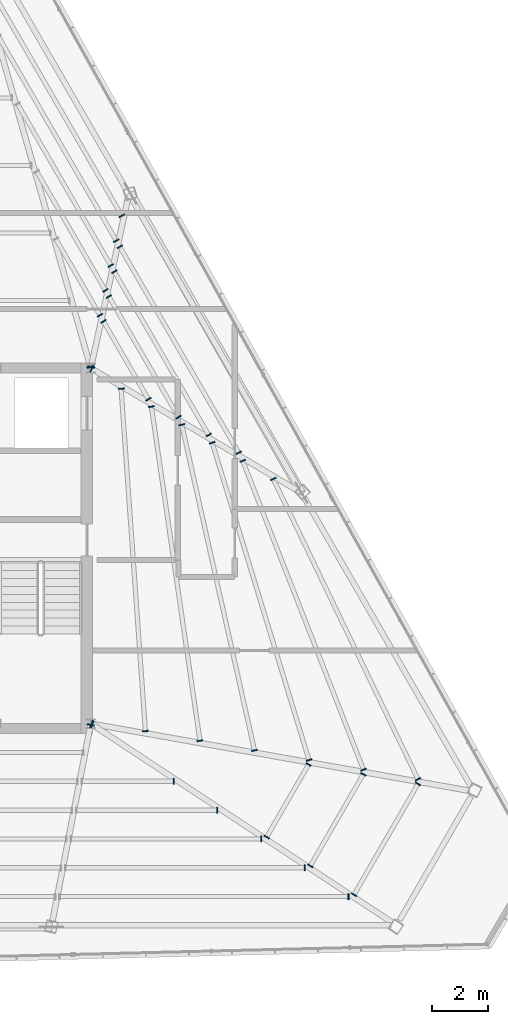
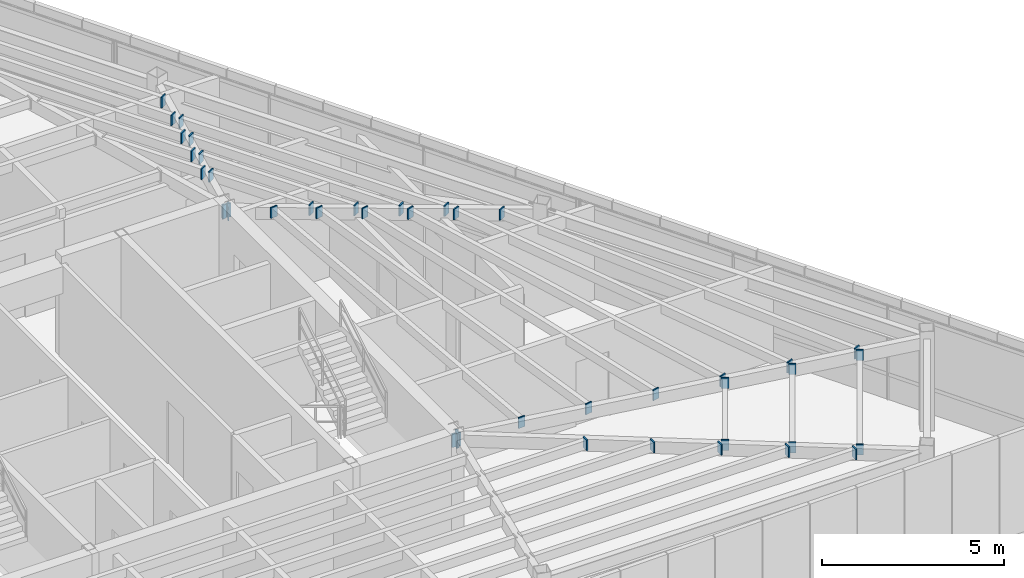
# One storey, part 41 of 48: 42 plates.
"""IFC4 building model written with IfcOpenShell, lengths in metres."""

from ifc_helpers import new_model, si_unit, direction, frame, origin, origin_2d, place, context, subcontext, project, spatial, rectangle, extrude, source, transform, mapped, material, layer, layer_set, type_object, type_shapes, element, save


model = new_model("IFC4")

# Units and contexts
model_context = context("Model", 3, precision=1e-05, world=origin(), true_north=direction((0.0, 1.0)))
body_context = subcontext(model_context, "Body", "Model", "MODEL_VIEW")
ifc_project = project(units=[si_unit("LENGTHUNIT", "METRE"), si_unit("AREAUNIT", "SQUARE_METRE"), si_unit("VOLUMEUNIT", "CUBIC_METRE"), si_unit("PLANEANGLEUNIT", "RADIAN"), si_unit("MASSUNIT", "GRAM", prefix="KILO")], contexts=[model_context])

# Site, building, storey
site_placement = place(None, origin())
site = spatial("IfcSite", under=ifc_project, at=site_placement, CompositionType="ELEMENT")
building_placement = place(site_placement, origin())
building = spatial("IfcBuilding", under=site, at=building_placement, Name="Caelisora Broadcast Tower", CompositionType="ELEMENT")
storey_placement = place(building_placement, frame((0.0, 0.0, 300.0)))
storey = spatial("IfcBuildingStorey", under=building, at=storey_placement, Name="L79", CompositionType="ELEMENT", Elevation=300.0)

# Plates
ifc_material = material(Name="Steel Grade 350 L15 (AS/NZS 3678)", Category="steel")
ifc_layer = layer(ifc_material, 0.0400390625, Name="Steel Grade 350 L15 (AS/NZS 3678)")
ifc_layer_set = layer_set([ifc_layer], Name="Steel Grade 350 L15 (AS/NZS 3678)")
plate_type = type_object("IfcPlateType", Name="GP04", PredefinedType="USERDEFINED", material=ifc_layer_set)
shared_shape_1 = source(origin(), body_context, "Body", "SweptSolid", [
    extrude(rectangle(XDim=0.260009765625, YDim=0.0400390625, at=origin_2d()), origin(), (0.0, 0.0, 1.0), 0.4599609375),
])
for number, where, z_axis, x_axis, name in (
    (1, (45.489013671875, 30.03857421875, 2.719970703125), (0.0, 0.0, 1.0), (-0.961932334778, -0.273287729889, 0.0), "L79 gusset plate GP04 (ND-RAD-L79-01)"),
    (2, (45.492431640625, 17.360595703125, 2.719970703125), (0.0, 0.0, 1.0), (0.981693728546, -0.190466331231, 0.0), "L79 gusset plate GP04 (ND-RAD-L79-08)"),
    (3, (45.533447265625, 17.3779296875, 2.719970703125), (0.0, 0.0, 1.0), (0.55062644014, 0.834751773535, 0.0), "L79 gusset plate GP04 (ND-RAD-L79-09)"),
    (4, (45.539306640625, 17.39306640625, 2.719970703125), (0.0, 0.0, 1.0), (0.174507518327, 0.984655841422, 0.0), "L79 gusset plate GP04 (ND-RAD-L79-10)"),
    (5, (45.534423828125, 29.9794921875, 2.719970703125), (0.0, 0.0, 1.0), (0.509492029423, 0.860475375565, 0.0), "L79 gusset plate GP04 (ND-RAD-L79-11)"),
    (6, (45.508544921875, 30.0390625, 2.719970703125), (0.0, 0.0, 1.0), (-0.976821953852, 0.214053429014, 0.0), "L79 gusset plate GP04 (ND-RAD-L79-12)"),
):
    element("IfcPlate", number, at=place(storey_placement, frame(where, z_axis=z_axis, x_axis=x_axis)), inside=storey, type_object=plate_type, Name=name, ObjectType="GUSSET PLATE", PredefinedType="USERDEFINED", context=body_context, shape_type="MappedRepresentation", body=[
        mapped(shared_shape_1, transform((0.0, 0.0, 0.0), scale=1.0)),
    ])
shared_shape_2 = source(origin(), body_context, "Body", "SweptSolid", [
    extrude(rectangle(XDim=0.2099609375, YDim=0.0400390625, at=origin_2d()), origin(), (0.0, 0.0, 1.0), 0.360107421875),
])
type_shapes(plate_type, [shared_shape_1, shared_shape_2])
for number, where, z_axis, x_axis, name in (
    (7, (48.43798828125, 15.357177734375, 2.81982421875), (0.0, 0.0, 1.0), (0.0, 1.0, 0.0), "L79 gusset plate GP04 (ND-SB-L79-036B)"),
    (8, (49.986328125, 14.335693359375, 2.81982421875), (0.0, 0.0, 1.0), (0.0, 1.0, 0.0), "L79 gusset plate GP04 (ND-SB-L79-037B)"),
    (9, (51.53466796875, 13.314208984375, 2.81982421875), (0.0, 0.0, 1.0), (0.0, 1.0, 0.0), "L79 gusset plate GP04 (ND-SB-L79-038B)"),
    (10, (53.0830078125, 12.29296875, 2.81982421875), (0.0, 0.0, 1.0), (0.0, 1.0, 0.0), "L79 gusset plate GP04 (ND-SB-L79-039B)"),
    (11, (54.631103515625, 11.271484375, 2.81982421875), (0.0, 0.0, 1.0), (0.0, 1.0, 0.0), "L79 gusset plate GP04 (ND-SB-L79-040B)"),
    (12, (51.731689453125, 13.381103515625, 2.81982421875), (0.0, 0.0, 1.0), (-0.866025403784, 0.5, 0.0), "L79 gusset plate GP04 (ND-SB-L79-041A)"),
    (13, (53.216552734375, 15.95263671875, 2.81982421875), (0.0, 0.0, 1.0), (-0.866025403784, 0.5, 0.0), "L79 gusset plate GP04 (ND-SB-L79-041B)"),
    (14, (53.280029296875, 12.359619140625, 2.81982421875), (0.0, 0.0, 1.0), (-0.866025403784, 0.5, 0.0), "L79 gusset plate GP04 (ND-SB-L79-042A)"),
    (15, (55.156005859375, 15.60888671875, 2.81982421875), (0.0, 0.0, 1.0), (-0.866025403784, 0.5, 0.0), "L79 gusset plate GP04 (ND-SB-L79-042B)"),
    (16, (54.828369140625, 11.33837890625, 2.81982421875), (0.0, 0.0, 1.0), (-0.866025403784, 0.5, 0.0), "L79 gusset plate GP04 (ND-SB-L79-043A)"),
    (17, (57.095703125, 15.26513671875, 2.81982421875), (0.0, 0.0, 1.0), (-0.866025403784, 0.5, 0.0), "L79 gusset plate GP04 (ND-SB-L79-043B)"),
    (18, (47.433837890625, 17.135986328125, 2.81982421875), (0.0, 0.0, 1.0), (-0.997490454489, -0.070801081936, 0.0), "L79 gusset plate GP04 (ND-SB-L79-044A)"),
    (19, (46.5732421875, 29.2705078125, 2.81982421875), (0.0, 0.0, 1.0), (-0.997490454489, -0.070801081936, 0.0), "L79 gusset plate GP04 (ND-SB-L79-044B)"),
    (20, (49.3671875, 16.7939453125, 2.81982421875), (0.0, 0.0, 1.0), (-0.989626327559, -0.143665346556, 0.0), "L79 gusset plate GP04 (ND-SB-L79-045A)"),
    (21, (47.647705078125, 28.633056640625, 2.81982421875), (0.0, 0.0, 1.0), (-0.989626327559, -0.143665346556, 0.0), "L79 gusset plate GP04 (ND-SB-L79-045B)"),
    (22, (51.300048828125, 16.451904296875, 2.81982421875), (0.0, 0.0, 1.0), (-0.975992848837, -0.217802568899, 0.0), "L79 gusset plate GP04 (ND-SB-L79-046A)"),
    (23, (48.723876953125, 27.994873046875, 2.81982421875), (0.0, 0.0, 1.0), (-0.975992848837, -0.217802568899, 0.0), "L79 gusset plate GP04 (ND-SB-L79-046B)"),
    (24, (53.232177734375, 16.1103515625, 2.81982421875), (0.0, 0.0, 1.0), (-0.956457710334, -0.291870944669, 0.0), "L79 gusset plate GP04 (ND-SB-L79-047A)"),
    (25, (49.8017578125, 27.35498046875, 2.81982421875), (0.0, 0.0, 1.0), (-0.956457710334, -0.291870944669, 0.0), "L79 gusset plate GP04 (ND-SB-L79-047B)"),
    (26, (55.16357421875, 15.768798828125, 2.81982421875), (0.0, 0.0, 1.0), (-0.931310320999, -0.364226695892, 0.0), "L79 gusset plate GP04 (ND-SB-L79-048A)"),
    (27, (50.88232421875, 26.7138671875, 2.81982421875), (0.0, 0.0, 1.0), (-0.931310320999, -0.364226695892, 0.0), "L79 gusset plate GP04 (ND-SB-L79-048B)"),
    (28, (57.09375, 15.427734375, 2.81982421875), (0.0, 0.0, 1.0), (-0.900925590851, -0.433973593378, 0.0), "L79 gusset plate GP04 (ND-SB-L79-049A)"),
    (29, (51.96630859375, 26.070556640625, 2.81982421875), (0.0, 0.0, 1.0), (-0.900925590851, -0.433973593378, 0.0), "L79 gusset plate GP04 (ND-SB-L79-049B)"),
    (30, (47.542236328125, 28.89404296875, 2.81982421875), (0.0, 0.0, 1.0), (-0.866025403784, -0.5, 0.0), "L79 gusset plate GP04 (ND-SB-L79-050A)"),
    (31, (45.94873046875, 31.65380859375, 2.81982421875), (0.0, 0.0, 1.0), (-0.866025403784, -0.5, 0.0), "L79 gusset plate GP04 (ND-SB-L79-050B)"),
    (32, (48.6083984375, 28.262939453125, 2.81982421875), (0.0, 0.0, 1.0), (-0.866025403784, -0.5, 0.0), "L79 gusset plate GP04 (ND-SB-L79-051A)"),
    (33, (46.141845703125, 32.53515625, 2.81982421875), (0.0, 0.0, 1.0), (-0.866025403784, -0.5, 0.0), "L79 gusset plate GP04 (ND-SB-L79-051B)"),
    (34, (49.6748046875, 27.631591796875, 2.81982421875), (0.0, 0.0, 1.0), (-0.866025403784, -0.5, 0.0), "L79 gusset plate GP04 (ND-SB-L79-052A)"),
    (35, (46.3349609375, 33.41650390625, 2.81982421875), (0.0, 0.0, 1.0), (-0.866025403784, -0.5, 0.0), "L79 gusset plate GP04 (ND-SB-L79-052B)"),
    (36, (50.7412109375, 27.00048828125, 2.81982421875), (0.0, 0.0, 1.0), (-0.866025403784, -0.5, 0.0), "L79 gusset plate GP04 (ND-SB-L79-053A)"),
    (37, (46.528076171875, 34.297607421875, 2.81982421875), (0.0, 0.0, 1.0), (-0.866025403784, -0.5, 0.0), "L79 gusset plate GP04 (ND-SB-L79-053B)"),
    (38, (45.823486328125, 31.87109375, 2.81982421875), (0.0, 0.0, 1.0), (-0.866025403784, -0.5, 0.0), "L79 gusset plate GP04 (ND-SB-L79-054A)"),
    (39, (46.0166015625, 32.752197265625, 2.81982421875), (0.0, 0.0, 1.0), (-0.866025403784, -0.5, 0.0), "L79 gusset plate GP04 (ND-SB-L79-055A)"),
    (40, (46.209716796875, 33.633544921875, 2.81982421875), (0.0, 0.0, 1.0), (-0.866025403784, -0.5, 0.0), "L79 gusset plate GP04 (ND-SB-L79-056A)"),
    (41, (46.402587890625, 34.514892578125, 2.81982421875), (0.0, 0.0, 1.0), (-0.866025403784, -0.5, 0.0), "L79 gusset plate GP04 (ND-SB-L79-057A)"),
    (42, (46.595703125, 35.39599609375, 2.81982421875), (0.0, 0.0, 1.0), (-0.866025403784, -0.5, 0.0), "L79 gusset plate GP04 (ND-SB-L79-058A)"),
):
    element("IfcPlate", number, at=place(storey_placement, frame(where, z_axis=z_axis, x_axis=x_axis)), inside=storey, type_object=plate_type, Name=name, ObjectType="GUSSET PLATE", PredefinedType="USERDEFINED", context=body_context, shape_type="MappedRepresentation", body=[
        mapped(shared_shape_2, transform((0.0, 0.0, 0.0), scale=1.0)),
    ])

save(model, "model.ifc")
